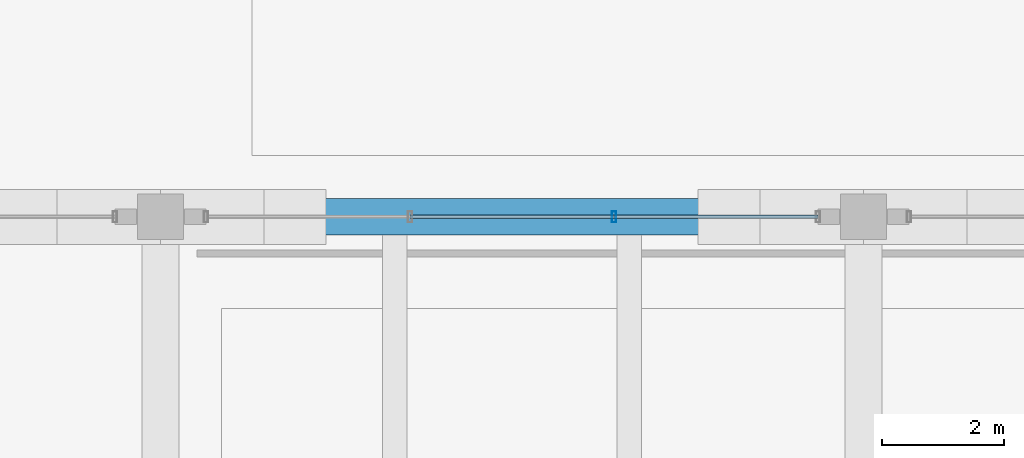
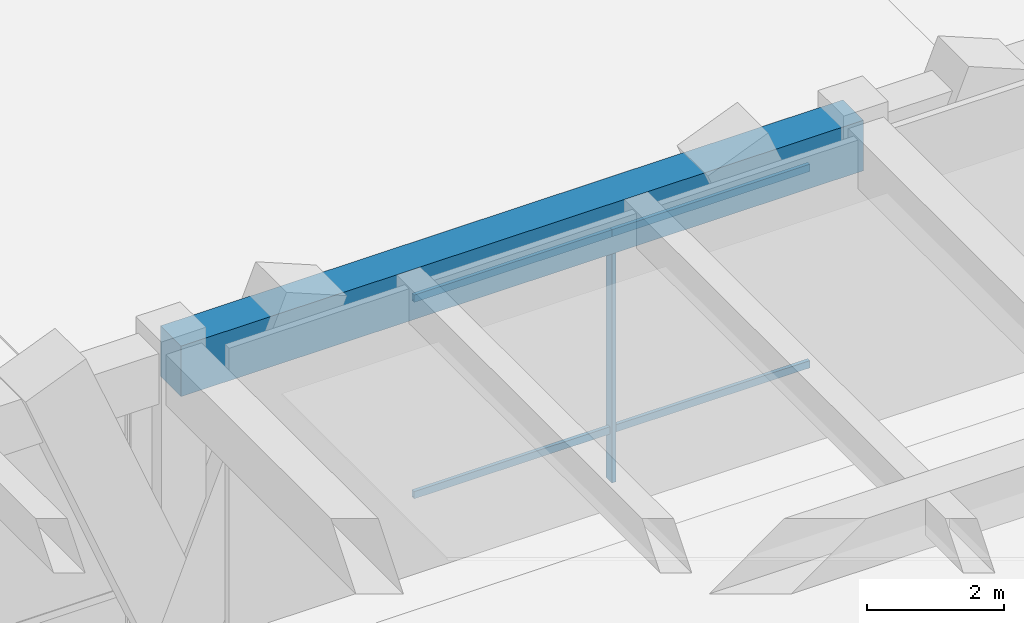
# One storey, part 32 of 148: 5 members, 1 beam, 1 element without a shape of its own.
"""IFC4 building model written with IfcOpenShell, lengths in metres."""

from ifc_helpers import new_model, si_unit, direction, frame, origin, origin_2d, place, context, subcontext, project, spatial, rectangle, hollow_rectangle, extrude, material, material_profile, profile_set, type_object, element, aggregate, save


model = new_model("IFC4")

# Units and contexts
model_context = context("Model", 3, precision=1e-05, world=origin(), true_north=direction((0.0, 1.0)))
body_context = subcontext(model_context, "Body", "Model", "MODEL_VIEW")
ifc_project = project(units=[si_unit("LENGTHUNIT", "METRE"), si_unit("AREAUNIT", "SQUARE_METRE"), si_unit("VOLUMEUNIT", "CUBIC_METRE"), si_unit("PLANEANGLEUNIT", "RADIAN"), si_unit("MASSUNIT", "GRAM", prefix="KILO")], contexts=[model_context])

# Site, building, storey
site_placement = place(None, origin())
site = spatial("IfcSite", under=ifc_project, at=site_placement, CompositionType="ELEMENT")
building_placement = place(site_placement, origin())
building = spatial("IfcBuilding", under=site, at=building_placement, Name="Ologun Quay Terminus", CompositionType="ELEMENT")
storey_placement = place(building_placement, frame((0.0, 0.0, 8.39990234375)))
storey = spatial("IfcBuildingStorey", under=building, at=storey_placement, Name="L02", CompositionType="ELEMENT", Elevation=8.39990234375)

# Curtain wall, members
ifc_material_1 = material(Name="Aluminium 6063-T6", Category="aluminium")
curtain_wall_type = type_object("IfcCurtainWallType", Name="Train Shed South Clerestory Curtain Wall 10700x5050", PredefinedType="USERDEFINED", material=ifc_material_1)
curtain_wall_placement = place(storey_placement, origin())
curtain_wall = element("IfcCurtainWall", 1, at=curtain_wall_placement, inside=storey, type_object=curtain_wall_type, Name="CW-08 Curtain Wall CW-L02-056", ObjectType="UNITISED CURTAIN WALL", PredefinedType="USERDEFINED")
ifc_material_2 = material(Name="Aluminium 6063-T6", Category="aluminium")
ifc_material_profile_1 = material_profile(ifc_material_2, hollow_rectangle(XDim=0.070068359375, YDim=0.179931640625, WallThickness=0.0048828125, at=origin_2d()), Name="ALU 180x70x5")
ifc_profile_set_1 = profile_set([ifc_material_profile_1], Name="Aluminium 6063-T6")
member_type_1 = type_object("IfcMemberType", Name="Concourse Clerestory Mullion 180x70", PredefinedType="MULLION", material=ifc_profile_set_1)
member_1_placement = place(storey_placement, frame((76.418212890625, 36.0, 0.0), z_axis=(0.0, 0.0, 1.0), x_axis=(1.0, 0.0, 0.0)))
member_1 = element("IfcMember", 2, at=member_1_placement, type_object=member_type_1, Name="CW-L02-056 Mullion 3", PredefinedType="MULLION", context=body_context, shape_type="SweptSolid", body=[
    extrude(hollow_rectangle(XDim=0.070068359375, YDim=0.179931640625, WallThickness=0.0048828125, at=origin_2d()), origin(), (0.0, 0.0, 1.0), 5.10009765625),
])
ifc_material_3 = material(Name="Aluminium 6063-T6", Category="aluminium")
ifc_material_profile_2 = material_profile(ifc_material_3, hollow_rectangle(XDim=0.06005859375, YDim=0.1298828125, WallThickness=0.00390625, at=origin_2d()), Name="ALU 130x60x4")
ifc_profile_set_2 = profile_set([ifc_material_profile_2], Name="Aluminium 6063-T6")
member_type_2 = type_object("IfcMemberType", Name="Concourse Clerestory Transom 130x60", PredefinedType="USERDEFINED", material=ifc_profile_set_2)
member_2_placement = place(storey_placement, frame((73.081787109375, 36.0, 0.900146484375), z_axis=(1.0, 0.0, 0.0), x_axis=(0.0, 1.0, 0.0)))
member_2 = element("IfcMember", 3, at=member_2_placement, type_object=member_type_2, Name="CW-L02-056 Transom B2-1", ObjectType="TRANSOM", PredefinedType="USERDEFINED", context=body_context, shape_type="SweptSolid", body=[
    extrude(hollow_rectangle(XDim=0.06005859375, YDim=0.1298828125, WallThickness=0.00390625, at=origin_2d()), origin(), (0.0, 0.0, 1.0), 3.33642578125),
])
member_3_placement = place(storey_placement, frame((73.081787109375, 36.0, 4.400146484375), z_axis=(1.0, 0.0, 0.0), x_axis=(0.0, 1.0, 0.0)))
member_3 = element("IfcMember", 4, at=member_3_placement, type_object=member_type_2, Name="CW-L02-056 Transom B2-2", ObjectType="TRANSOM", PredefinedType="USERDEFINED", context=body_context, shape_type="SweptSolid", body=[
    extrude(hollow_rectangle(XDim=0.06005859375, YDim=0.1298828125, WallThickness=0.00390625, at=origin_2d()), origin(), (0.0, 0.0, 1.0), 3.33642578125),
])
member_4_placement = place(storey_placement, frame((76.418212890625, 36.0, 0.900146484375), z_axis=(1.0, 0.0, 0.0), x_axis=(0.0, 1.0, 0.0)))
member_4 = element("IfcMember", 5, at=member_4_placement, type_object=member_type_2, Name="CW-L02-056 Transom B3-1", ObjectType="TRANSOM", PredefinedType="USERDEFINED", context=body_context, shape_type="SweptSolid", body=[
    extrude(hollow_rectangle(XDim=0.06005859375, YDim=0.1298828125, WallThickness=0.00390625, at=origin_2d()), origin(), (0.0, 0.0, 1.0), 3.336669921875),
])
member_5_placement = place(storey_placement, frame((76.418212890625, 36.0, 4.400146484375), z_axis=(1.0, 0.0, 0.0), x_axis=(0.0, 1.0, 0.0)))
member_5 = element("IfcMember", 6, at=member_5_placement, type_object=member_type_2, Name="CW-L02-056 Transom B3-2", ObjectType="TRANSOM", PredefinedType="USERDEFINED", context=body_context, shape_type="SweptSolid", body=[
    extrude(hollow_rectangle(XDim=0.06005859375, YDim=0.1298828125, WallThickness=0.00390625, at=origin_2d()), origin(), (0.0, 0.0, 1.0), 3.336669921875),
])
aggregate(curtain_wall, [member_1, member_2, member_3, member_4, member_5])

# Beam
ifc_material_4 = material(Name="Concrete C40/50", Category="concrete")
ifc_material_profile_3 = material_profile(ifc_material_4, rectangle(XDim=0.60009765625, YDim=0.89990234375, at=origin_2d()), Name="RC 600x900")
ifc_profile_set_3 = profile_set([ifc_material_profile_3], Name="Concrete C40/50")
beam_type = type_object("IfcBeamType", Name="Station Frame Girder 600x900", PredefinedType="BEAM", material=ifc_profile_set_3)
beam_placement = place(storey_placement, frame((69.0, 36.0, 4.7001953125), z_axis=(1.0, 0.0, 0.0), x_axis=(0.0, 1.0, 0.0)))
element("IfcBeam", 7, at=beam_placement, inside=storey, type_object=beam_type, Name="B3 Beam 7/E L02", PredefinedType="BEAM", context=body_context, shape_type="SweptSolid", body=[
    extrude(rectangle(XDim=0.60009765625, YDim=0.89990234375, at=origin_2d()), origin(), (0.0, 0.0, 1.0), 11.5),
])

save(model, "model.ifc")
